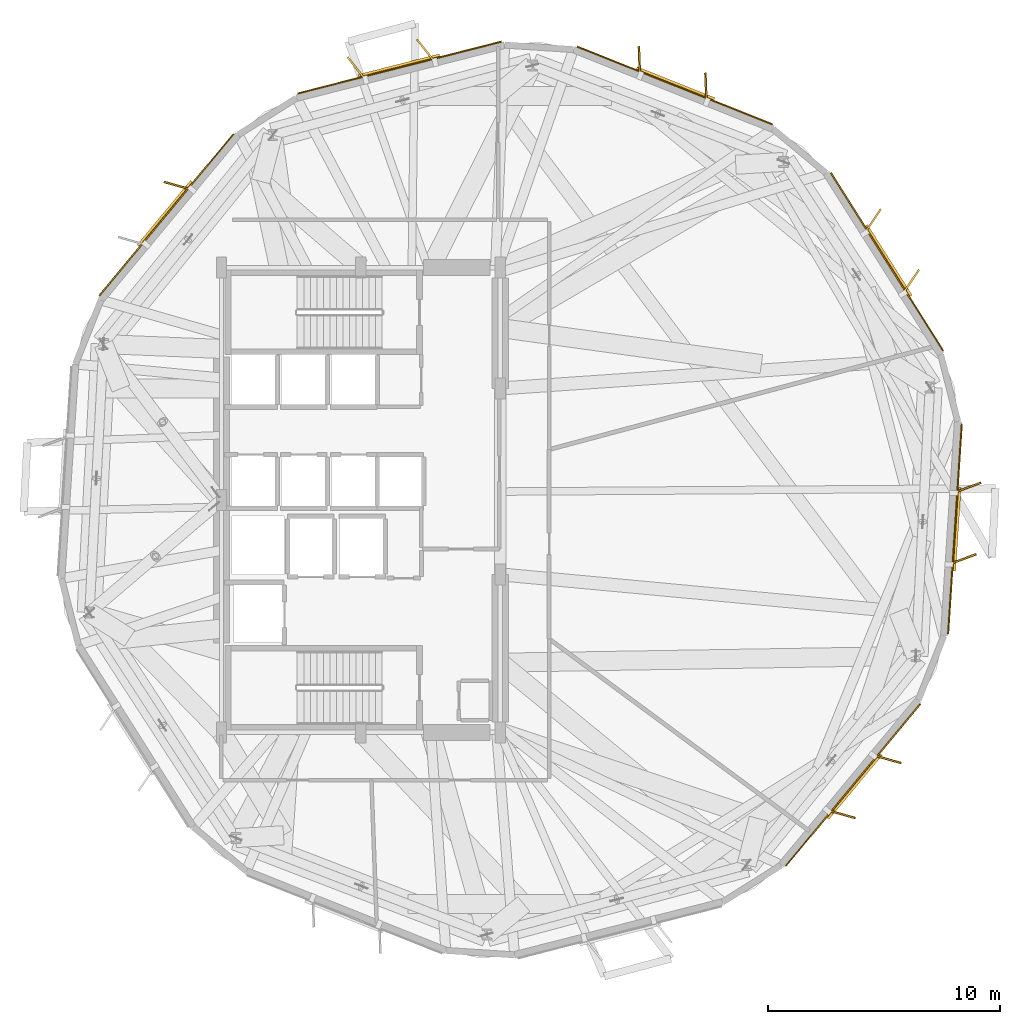
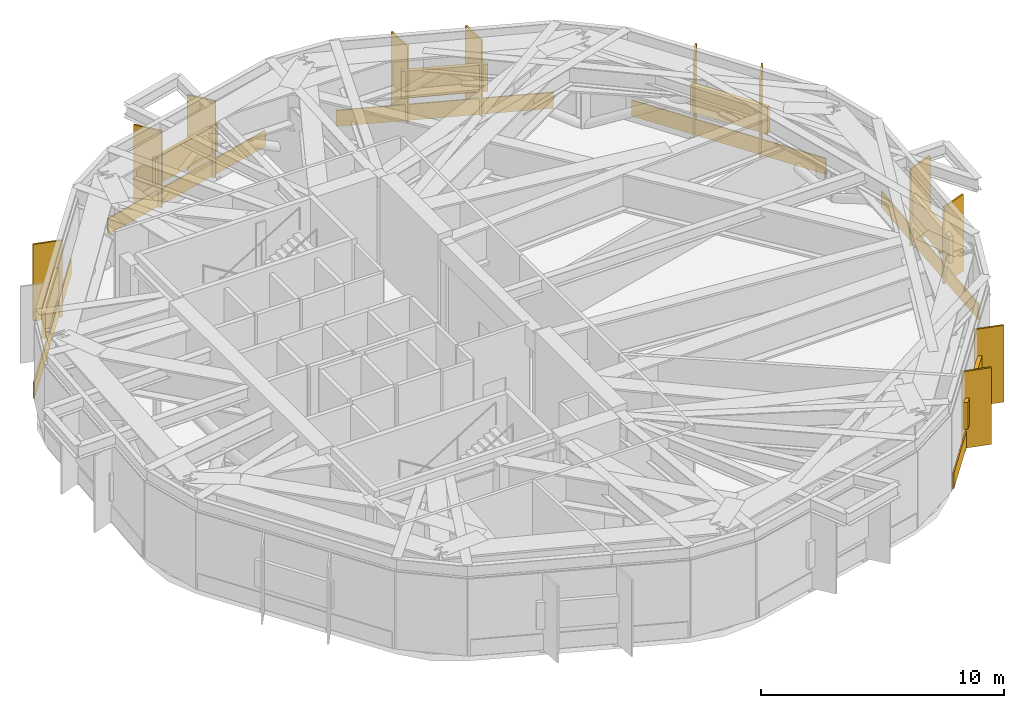
# One storey, part 13 of 13: 17 shading devices, 6 coverings.
"""IFC4 building model written with IfcOpenShell, lengths in metres."""

from ifc_helpers import new_model, si_unit, direction, frame, origin, origin_2d, place, context, subcontext, project, spatial, rectangle, extrude, material, layer, layer_set, type_object, element, save


model = new_model("IFC4")

# Units and contexts
model_context = context("Model", 3, precision=1e-05, world=origin(), true_north=direction((0.0, 1.0)))
body_context = subcontext(model_context, "Body", "Model", "MODEL_VIEW")
ifc_project = project(units=[si_unit("LENGTHUNIT", "METRE"), si_unit("AREAUNIT", "SQUARE_METRE"), si_unit("VOLUMEUNIT", "CUBIC_METRE"), si_unit("PLANEANGLEUNIT", "RADIAN"), si_unit("MASSUNIT", "GRAM", prefix="KILO")], contexts=[model_context])

# Site, building, storey
site_placement = place(None, origin())
site = spatial("IfcSite", under=ifc_project, at=site_placement, CompositionType="ELEMENT")
building_placement = place(site_placement, origin())
building = spatial("IfcBuilding", under=site, at=building_placement, Name="Soratama Intermodal Tower", CompositionType="ELEMENT")
storey_placement = place(building_placement, frame((0.0, 0.0, 82.60009765625)))
storey = spatial("IfcBuildingStorey", under=building, at=storey_placement, Name="L19", CompositionType="ELEMENT", Elevation=82.60009765625)

# Coverings
ifc_material_1 = material(Name="Honed Andean limestone cladding", Category="masonry")
ifc_layer_1 = layer(ifc_material_1, 0.06005859375)
ifc_layer_set_1 = layer_set([ifc_layer_1], Name="Honed Andean limestone cladding")
covering_type = type_object("IfcCoveringType", Name="CV-STONE-CLAD", PredefinedType="CLADDING", material=ifc_layer_set_1)
for number, where, z_axis, x_axis, name in (
    (1, (61.23388671875, 35.2548828125, 0.0498046875), (0.0, 0.0, 1.0), (-0.534057264801, 0.845448305879, 0.0), "L19 Stone Cladding F01"),
    (2, (52.10595703125, 42.83837890625, 0.0498046875), (0.0, 0.0, 1.0), (-0.929003448964, 0.370071063192, 0.0), "L19 Stone Cladding F02"),
):
    element("IfcCovering", number, at=place(storey_placement, frame(where, z_axis=z_axis, x_axis=x_axis)), inside=storey, type_object=covering_type, Name=name, PredefinedType="CLADDING", context=body_context, shape_type="SweptSolid", body=[
        extrude(rectangle(XDim=9.044921875, YDim=0.06005859375, at=origin_2d()), origin(), (0.0, 0.0, 1.0), 0.800048828125),
    ])
for number, where, z_axis, x_axis, name in (
    (3, (40.263671875, 43.6083984375, 0.0498046875), (0.0, 0.0, 1.0), (-0.96910189129, -0.246660747381, 0.0), "L19 Stone Cladding F03"),
    (4, (30.23046875, 37.2705078125, 0.0498046875), (0.0, 0.0, 1.0), (-0.639036349704, -0.769176536145, 0.0), "L19 Stone Cladding F04"),
    (5, (59.76953125, 12.7294921875, 0.0498046875), (0.0, 0.0, 1.0), (0.639036349704, 0.769176536145, 0.0), "L19 Stone Cladding F09"),
):
    element("IfcCovering", number, at=place(storey_placement, frame(where, z_axis=z_axis, x_axis=x_axis)), inside=storey, type_object=covering_type, Name=name, PredefinedType="CLADDING", context=body_context, shape_type="SweptSolid", body=[
        extrude(rectangle(XDim=9.045166015625, YDim=0.06005859375, at=origin_2d()), origin(), (0.0, 0.0, 1.0), 0.800048828125),
    ])
covering_placement = place(storey_placement, frame((64.1611328125, 23.754150390625, 0.0498046875), z_axis=(0.0, 0.0, 1.0), x_axis=(0.064880642578, 0.997893031451, 0.0)))
element("IfcCovering", 6, at=covering_placement, inside=storey, type_object=covering_type, Name="L19 Stone Cladding F10", PredefinedType="CLADDING", context=body_context, shape_type="SweptSolid", body=[
    extrude(rectangle(XDim=9.044921875, YDim=0.06005859375, at=origin_2d()), origin(), (0.0, 0.0, 1.0), 0.800048828125),
])

# Shading devices
ifc_material_2 = material(Name="Champagne anodised aluminium solar fin", Category="aluminium")
ifc_layer_2 = layer(ifc_material_2, 0.080078125)
ifc_layer_set_2 = layer_set([ifc_layer_2], Name="Champagne anodised aluminium solar fin")
shading_device_type_1 = type_object("IfcShadingDeviceType", Name="SH-FIN-1250", PredefinedType="USERDEFINED", material=ifc_layer_set_2)
for number, where, z_axis, x_axis, name in (
    (7, (62.26708984375, 34.39501953125, 0.02001953125), (0.0, 0.0, 1.0), (0.555134800412, 0.831760394207, 0.0), "L19 Solar Fin F01-1"),
    (8, (60.62109375, 37.00048828125, 0.02001953125), (0.0, 0.0, 1.0), (0.555134800412, 0.831760394207, 0.0), "L19 Solar Fin F01-2"),
    (9, (53.447021484375, 42.75, 0.02001953125), (0.0, 0.0, 1.0), (-0.039783005453, 0.999208342878, 0.0), "L19 Solar Fin F02-1"),
    (10, (50.583984375, 43.890625, 0.02001953125), (0.0, 0.0, 1.0), (-0.039783005453, 0.999208342878, 0.0), "L19 Solar Fin F02-2"),
    (11, (41.400634765625, 44.3251953125, 0.02001953125), (0.0, 0.0, 1.0), (-0.61950505541, 0.784992666412, 0.0), "L19 Solar Fin F03-1"),
    (12, (38.4140625, 43.565185546875, 0.02001953125), (0.0, 0.0, 1.0), (-0.61950505541, 0.784992666412, 0.0), "L19 Solar Fin F03-2"),
    (13, (30.72900390625, 38.518798828125, 0.02001953125), (0.0, 0.0, 1.0), (-0.962597230403, 0.270936472296, 0.0), "L19 Solar Fin F04-1"),
    (14, (59.27099609375, 11.481201171875, 0.02001953125), (0.0, 0.0, 1.0), (0.962597230403, -0.270936472296, 0.0), "L19 Solar Fin F09-1"),
    (15, (61.240478515625, 13.851806640625, 0.02001953125), (0.0, 0.0, 1.0), (0.962597230403, -0.270936472296, 0.0), "L19 Solar Fin F09-2"),
    (16, (64.49169921875, 22.451416015625, 0.02001953125), (0.0, 0.0, 1.0), (0.938009980858, 0.346608245445, 0.0), "L19 Solar Fin F10-1"),
    (17, (64.69140625, 25.526611328125, 0.02001953125), (0.0, 0.0, 1.0), (0.938009980858, 0.346608245445, 0.0), "L19 Solar Fin F10-2"),
):
    element("IfcShadingDevice", number, at=place(storey_placement, frame(where, z_axis=z_axis, x_axis=x_axis)), inside=storey, type_object=shading_device_type_1, Name=name, ObjectType="FIN", PredefinedType="USERDEFINED", context=body_context, shape_type="SweptSolid", body=[
        extrude(rectangle(XDim=1.25, YDim=0.080078125, at=origin_2d()), origin(), (0.0, 0.0, 1.0), 3.85888671875),
    ])
ifc_material_3 = material(Name="Anodised aluminium weather louvre", Category="aluminium")
ifc_layer_3 = layer(ifc_material_3, 0.1201171875)
ifc_layer_set_3 = layer_set([ifc_layer_3], Name="Anodised aluminium weather louvre")
shading_device_type_2 = type_object("IfcShadingDeviceType", Name="SH-LOUVRE-PLANT", PredefinedType="JALOUSIE", material=ifc_layer_set_3)
for number, where, z_axis, x_axis, name in (
    (18, (61.28466796875, 35.286865234375, 1.1748046875), (0.0, 0.0, 1.0), (-0.534057264801, 0.845448305879, 0.0), "L19 Acoustic Louvre F01"),
    (19, (52.128173828125, 42.894287109375, 1.1748046875), (0.0, 0.0, 1.0), (-0.929003448964, 0.370071063192, 0.0), "L19 Acoustic Louvre F02"),
    (20, (40.248779296875, 43.66650390625, 1.1748046875), (0.0, 0.0, 1.0), (-0.96910189129, -0.246660747381, 0.0), "L19 Acoustic Louvre F03"),
    (21, (30.184326171875, 37.308837890625, 1.1748046875), (0.0, 0.0, 1.0), (-0.639036349704, -0.769176536145, 0.0), "L19 Acoustic Louvre F04"),
    (22, (59.815673828125, 12.691162109375, 1.1748046875), (0.0, 0.0, 1.0), (0.639036349704, 0.769176536145, 0.0), "L19 Acoustic Louvre F09"),
    (23, (64.22119140625, 23.750244140625, 1.1748046875), (0.0, 0.0, 1.0), (0.064880642578, 0.997893031451, 0.0), "L19 Acoustic Louvre F10"),
):
    element("IfcShadingDevice", number, at=place(storey_placement, frame(where, z_axis=z_axis, x_axis=x_axis)), inside=storey, type_object=shading_device_type_2, Name=name, PredefinedType="JALOUSIE", context=body_context, shape_type="SweptSolid", body=[
        extrude(rectangle(XDim=3.60009765625, YDim=0.179931640625, at=origin_2d()), origin(), (0.0, 0.0, 1.0), 1.35009765625),
    ])

save(model, "model.ifc")
